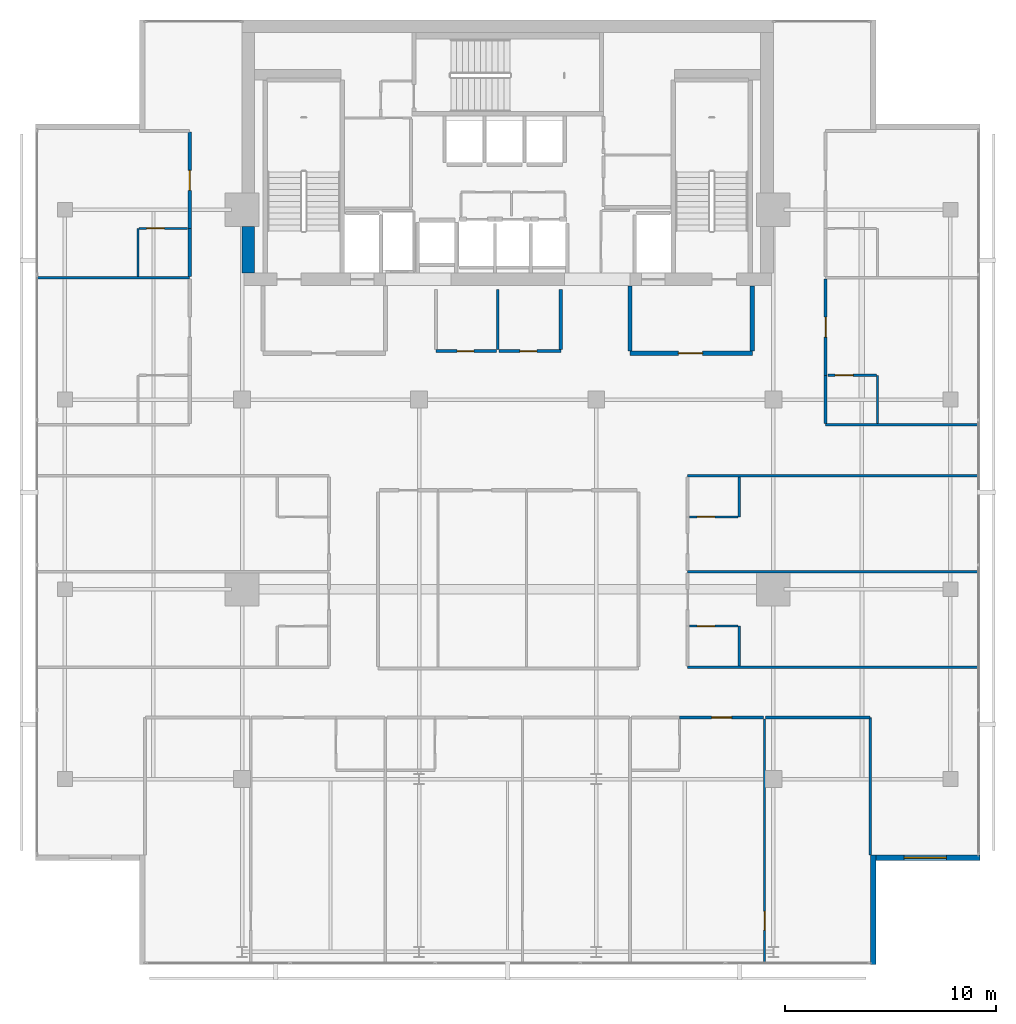
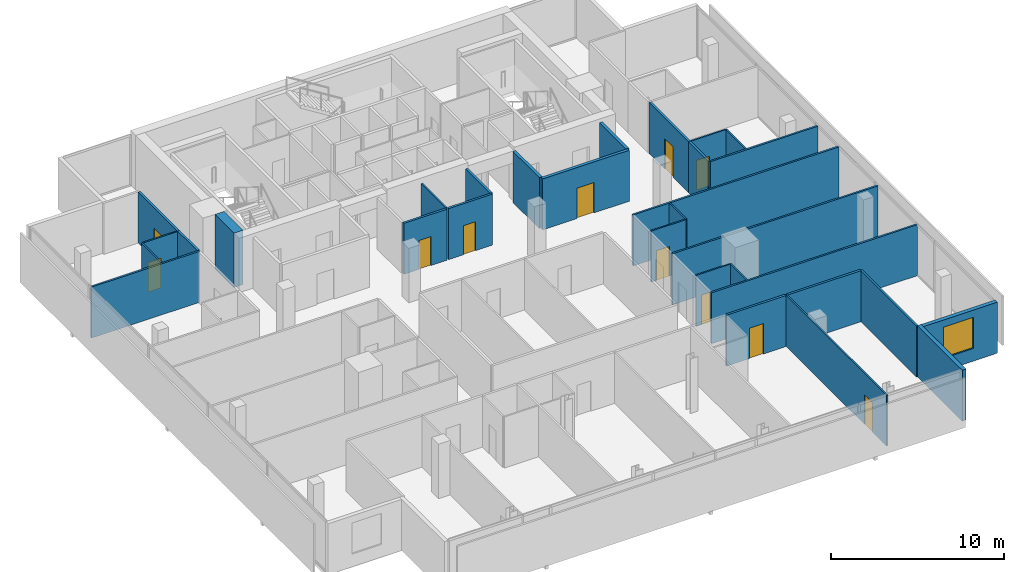
# One storey, part 21 of 26: 31 walls, 11 doors, 1 window, 12 openings.
"""IFC4 building model written with IfcOpenShell, lengths in metres."""

from ifc_helpers import new_model, si_unit, direction, frame, frame_2d, origin, place, context, subcontext, project, spatial, rectangle, extrude, material, layer, layer_set, type_object, element, fill, save


model = new_model("IFC4")

# Units and contexts
model_context = context("Model", 3, precision=1e-05, world=origin(), true_north=direction((0.0, 1.0)))
body_context = subcontext(model_context, "Body", "Model", "MODEL_VIEW")
ifc_project = project(units=[si_unit("LENGTHUNIT", "METRE"), si_unit("AREAUNIT", "SQUARE_METRE"), si_unit("VOLUMEUNIT", "CUBIC_METRE"), si_unit("PLANEANGLEUNIT", "RADIAN"), si_unit("MASSUNIT", "GRAM", prefix="KILO")], contexts=[model_context])

# Site, building, storey
site_placement = place(None, origin())
site = spatial("IfcSite", under=ifc_project, at=site_placement, CompositionType="ELEMENT")
building_placement = place(site_placement, origin())
building = spatial("IfcBuilding", under=site, at=building_placement, Name="Maruvema Waterfront Hotel and Observation Tower", CompositionType="ELEMENT")
storey_placement = place(building_placement, frame((0.0, 0.0, 301.0)))
storey = spatial("IfcBuildingStorey", under=building, at=storey_placement, Name="L74", CompositionType="ELEMENT", Elevation=301.0)

# Wall, opening, door
ifc_material_1 = material(Name="Twin-stud acoustic gypsum drywall", Category="gypsum")
ifc_layer_1 = layer(ifc_material_1, 0.14990234375, Name="Acoustic Corridor and Suite Demising Wall 150 mm")
ifc_layer_set_1 = layer_set([ifc_layer_1], Name="Twin-stud acoustic gypsum drywall")
wall_type_1 = type_object("IfcWallType", Name="Acoustic Corridor and Suite Demising Wall 150 mm", PredefinedType="PARTITIONING", material=ifc_layer_set_1)
wall_1_placement = place(storey_placement, frame((34.39990234375, 38.300048828125, 0.0), z_axis=(0.0, 0.0, 1.0), x_axis=(1.0, 0.0, 0.0)))
wall_1 = element("IfcWall", 1, at=wall_1_placement, inside=storey, type_object=wall_type_1, Name="L74 Core Apron K2A South 026", PredefinedType="PARTITIONING", context=body_context, shape_type="SweptSolid", body=[
    extrude(rectangle(XDim=2.880126953125, YDim=0.14990234375, at=frame_2d((1.43994140625, 0.0))), origin(), (0.0, 0.0, 1.0), 3.610107421875),
])
opening_1_placement = place(wall_1_placement, frame((1.0, 0.0, 0.0)))
opening_1 = element("IfcOpeningElement", 2, at=opening_1_placement, cuts=wall_1, Name="Opening DR-080", PredefinedType="OPENING", context=body_context, shape_type="SweptSolid", body=[
    extrude(rectangle(XDim=0.800048828125, YDim=2.050048828125, at=frame_2d((0.39990234375, 1.02490234375))), frame((0.0, 0.0849609375, 0.0), z_axis=(0.0, -1.0, 0.0), x_axis=(1.0, 0.0, 0.0)), (0.0, 0.0, 1.0), 0.169921875),
])
ifc_material_2 = material(Name="Powder-coated steel access leaf", Category="steel")
door_type_1 = type_object("IfcDoorType", Name="Riser and Service Cupboard Door 800x2050 mm", OperationType="NOTDEFINED", PredefinedType="DOOR", material=ifc_material_2)
door_1_placement = place(opening_1_placement, frame((0.800048828125, 0.0, 0.0), z_axis=(0.0, 0.0, 1.0), x_axis=(-1.0, 0.0, 0.0)))
door_1 = element("IfcDoor", 3, at=door_1_placement, inside=storey, type_object=door_type_1, Name="L74 Core Ice Alcove Door", OperationType="SINGLE_SWING_LEFT", OverallHeight=2.050048828125, OverallWidth=0.800048828125, PredefinedType="DOOR", context=body_context, shape_type="SweptSolid", body=[
    extrude(rectangle(XDim=0.800048828125, YDim=2.050048828125, at=frame_2d((0.39990234375, 1.02490234375))), frame((0.0, 0.02490234375, 0.0), z_axis=(0.0, -1.0, 0.0), x_axis=(1.0, 0.0, 0.0)), (0.0, 0.0, 1.0), 0.050048828125),
])
fill(opening_1, door_1)

wall_2_placement = place(storey_placement, frame((37.3798828125, 38.300048828125, 0.0), z_axis=(0.0, 0.0, 1.0), x_axis=(1.0, 0.0, 0.0)))
wall_2 = element("IfcWall", 4, at=wall_2_placement, inside=storey, type_object=wall_type_1, Name="L74 Core Apron K2B South 027", PredefinedType="PARTITIONING", context=body_context, shape_type="SweptSolid", body=[
    extrude(rectangle(XDim=2.940185546875, YDim=0.14990234375, at=frame_2d((1.47021484375, 0.0))), origin(), (0.0, 0.0, 1.0), 3.610107421875),
])
opening_2_placement = place(wall_2_placement, frame((1.0, 0.0, 0.0)))
opening_2 = element("IfcOpeningElement", 5, at=opening_2_placement, cuts=wall_2, Name="Opening DR-080", PredefinedType="OPENING", context=body_context, shape_type="SweptSolid", body=[
    extrude(rectangle(XDim=0.800048828125, YDim=2.050048828125, at=frame_2d((0.39990234375, 1.02490234375))), frame((0.0, 0.0849609375, 0.0), z_axis=(0.0, -1.0, 0.0), x_axis=(1.0, 0.0, 0.0)), (0.0, 0.0, 1.0), 0.169921875),
])
door_2_placement = place(opening_2_placement, frame((0.800048828125, 0.0, 0.0), z_axis=(0.0, 0.0, 1.0), x_axis=(-1.0, 0.0, 0.0)))
door_2 = element("IfcDoor", 6, at=door_2_placement, inside=storey, type_object=door_type_1, Name="L74 Core Valet Closet Door", OperationType="SINGLE_SWING_RIGHT", OverallHeight=2.050048828125, OverallWidth=0.800048828125, PredefinedType="DOOR", context=body_context, shape_type="SweptSolid", body=[
    extrude(rectangle(XDim=0.800048828125, YDim=2.050048828125, at=frame_2d((0.39990234375, 1.02490234375))), frame((0.0, 0.02490234375, 0.0), z_axis=(0.0, -1.0, 0.0), x_axis=(1.0, 0.0, 0.0)), (0.0, 0.0, 1.0), 0.050048828125),
])
fill(opening_2, door_2)

# Wall
wall_3_placement = place(storey_placement, frame((40.320068359375, 38.3798828125, 0.0), z_axis=(0.0, 0.0, 1.0), x_axis=(0.0, 1.0, 0.0)))
element("IfcWall", 7, at=wall_3_placement, inside=storey, type_object=wall_type_1, Name="L74 Core Apron K2 East 030", PredefinedType="PARTITIONING", context=body_context, shape_type="SweptSolid", body=[
    extrude(rectangle(XDim=2.840087890625, YDim=0.14990234375, at=frame_2d((1.419921875, 0.0))), origin(), (0.0, 0.0, 1.0), 3.610107421875),
])

# Wall, opening, door
wall_4_placement = place(storey_placement, frame((45.949951171875, 20.919921875, 0.0), z_axis=(0.0, 0.0, 1.0), x_axis=(1.0, 0.0, 0.0)))
wall_4 = element("IfcWall", 8, at=wall_4_placement, inside=storey, type_object=wall_type_1, Name="L74 Unit L74-S3 Corridor Wall 058", PredefinedType="PARTITIONING", context=body_context, shape_type="SweptSolid", body=[
    extrude(rectangle(XDim=3.994140625, YDim=0.14990234375, at=frame_2d((1.9970703125, 0.0))), origin(), (0.0, 0.0, 1.0), 3.610107421875),
])
opening_3_placement = place(wall_4_placement, frame((1.52197265625, 0.0, 0.0)))
opening_3 = element("IfcOpeningElement", 9, at=opening_3_placement, cuts=wall_4, Name="Opening DR-095", PredefinedType="OPENING", context=body_context, shape_type="SweptSolid", body=[
    extrude(rectangle(XDim=0.949951171875, YDim=2.14990234375, at=frame_2d((0.47509765625, 1.074951171875))), frame((0.0, 0.0849609375, 0.0), z_axis=(0.0, -1.0, 0.0), x_axis=(1.0, 0.0, 0.0)), (0.0, 0.0, 1.0), 0.169921875),
])
ifc_material_3 = material(Name="Acoustic solid-core hardwood timber leaf", Category="wood")
door_type_2 = type_object("IfcDoorType", Name="Guestroom Entrance Fire Door 950x2150 mm", OperationType="NOTDEFINED", PredefinedType="DOOR", material=ifc_material_3)
door_3_placement = place(opening_3_placement, frame((0.949951171875, 0.0, 0.0), z_axis=(0.0, 0.0, 1.0), x_axis=(-1.0, 0.0, 0.0)))
door_3 = element("IfcDoor", 10, at=door_3_placement, inside=storey, type_object=door_type_2, Name="L74 Unit L74-S3 Entrance Door", OperationType="SINGLE_SWING_LEFT", OverallHeight=2.14990234375, OverallWidth=0.949951171875, PredefinedType="DOOR", context=body_context, shape_type="SweptSolid", body=[
    extrude(rectangle(XDim=0.949951171875, YDim=2.14990234375, at=frame_2d((0.47509765625, 1.074951171875))), frame((0.0, 0.02490234375, 0.0), z_axis=(0.0, -1.0, 0.0), x_axis=(1.0, 0.0, 0.0)), (0.0, 0.0, 1.0), 0.050048828125),
])
fill(opening_3, door_3)

# Walls
wall_5_placement = place(storey_placement, frame((50.02392578125, 20.919921875, 0.0), z_axis=(0.0, 0.0, 1.0), x_axis=(1.0, 0.0, 0.0)))
element("IfcWall", 11, at=wall_5_placement, inside=storey, type_object=wall_type_1, Name="L74 Bedroom L74-S3 Back Wall 059", PredefinedType="PARTITIONING", context=body_context, shape_type="SweptSolid", body=[
    extrude(rectangle(XDim=4.9560546875, YDim=0.14990234375, at=frame_2d((2.47802734375, 0.0))), origin(), (0.0, 0.0, 1.0), 3.610107421875),
])
wall_6_placement = place(storey_placement, frame((52.8798828125, 34.860107421875, 0.0), z_axis=(0.0, 0.0, 1.0), x_axis=(0.0, 1.0, 0.0)))
element("IfcWall", 12, at=wall_6_placement, inside=storey, type_object=wall_type_1, Name="L74 Bath L74-NE1 Wall 091", PredefinedType="PARTITIONING", context=body_context, shape_type="SweptSolid", body=[
    extrude(rectangle(XDim=2.289794921875, YDim=0.14990234375, at=frame_2d((1.14501953125, 0.0))), origin(), (0.0, 0.0, 1.0), 3.610107421875),
])

# Wall, opening, door
wall_7_placement = place(storey_placement, frame((52.8798828125, 37.14990234375, 0.0), z_axis=(0.0, 0.0, 1.0), x_axis=(0.0, 1.0, 0.0)))
wall_7 = element("IfcWall", 13, at=wall_7_placement, inside=storey, type_object=wall_type_1, Name="L74 Room L74-NE1 Corridor Wall 092", PredefinedType="PARTITIONING", context=body_context, shape_type="SweptSolid", body=[
    extrude(rectangle(XDim=4.558837890625, YDim=0.14990234375, at=frame_2d((2.279296875, 0.0))), origin(), (0.0, 0.0, 1.0), 3.610107421875),
])
opening_4_placement = place(wall_7_placement, frame((1.804443359375, 0.0, 0.0)))
opening_4 = element("IfcOpeningElement", 14, at=opening_4_placement, cuts=wall_7, Name="Opening DR-095", PredefinedType="OPENING", context=body_context, shape_type="SweptSolid", body=[
    extrude(rectangle(XDim=0.949951171875, YDim=2.14990234375, at=frame_2d((0.47509765625, 1.074951171875))), frame((0.0, 0.0849609375, 0.0), z_axis=(0.0, -1.0, 0.0), x_axis=(1.0, 0.0, 0.0)), (0.0, 0.0, 1.0), 0.169921875),
])
door_4_placement = place(opening_4_placement, frame((0.949951171875, 0.0, 0.0), z_axis=(0.0, 0.0, 1.0), x_axis=(-1.0, 0.0, 0.0)))
door_4 = element("IfcDoor", 15, at=door_4_placement, inside=storey, type_object=door_type_2, Name="L74 Room L74-NE1 Entrance Door", OperationType="SINGLE_SWING_RIGHT", OverallHeight=2.14990234375, OverallWidth=0.949951171875, PredefinedType="DOOR", context=body_context, shape_type="SweptSolid", body=[
    extrude(rectangle(XDim=0.949951171875, YDim=2.14990234375, at=frame_2d((0.47509765625, 1.074951171875))), frame((0.0, 0.02490234375, 0.0), z_axis=(0.0, -1.0, 0.0), x_axis=(1.0, 0.0, 0.0)), (0.0, 0.0, 1.0), 0.050048828125),
])
fill(opening_4, door_4)

# Wall
wall_8_placement = place(storey_placement, frame((22.719970703125, 41.82861328125, 0.0), z_axis=(0.0, 0.0, 1.0), x_axis=(0.0, 1.0, 0.0)))
element("IfcWall", 16, at=wall_8_placement, inside=storey, type_object=wall_type_1, Name="L74 Bath L74-NW2 Wall 097", PredefinedType="PARTITIONING", context=body_context, shape_type="SweptSolid", body=[
    extrude(rectangle(XDim=2.2900390625, YDim=0.14990234375, at=frame_2d((1.14501953125, 0.0))), origin(), (0.0, 0.0, 1.0), 3.610107421875),
])

# Wall, opening, door
wall_9_placement = place(storey_placement, frame((22.719970703125, 44.11865234375, 0.0), z_axis=(0.0, 0.0, 1.0), x_axis=(0.0, 1.0, 0.0)))
wall_9 = element("IfcWall", 17, at=wall_9_placement, inside=storey, type_object=wall_type_1, Name="L74 Room L74-NW2 Corridor Wall 098", PredefinedType="PARTITIONING", context=body_context, shape_type="SweptSolid", body=[
    extrude(rectangle(XDim=4.558837890625, YDim=0.14990234375, at=frame_2d((2.279296875, 0.0))), origin(), (0.0, 0.0, 1.0), 3.610107421875),
])
opening_5_placement = place(wall_9_placement, frame((1.804443359375, 0.0, 0.0)))
opening_5 = element("IfcOpeningElement", 18, at=opening_5_placement, cuts=wall_9, Name="Opening DR-095", PredefinedType="OPENING", context=body_context, shape_type="SweptSolid", body=[
    extrude(rectangle(XDim=0.949951171875, YDim=2.14990234375, at=frame_2d((0.47509765625, 1.074951171875))), frame((0.0, 0.0849609375, 0.0), z_axis=(0.0, -1.0, 0.0), x_axis=(1.0, 0.0, 0.0)), (0.0, 0.0, 1.0), 0.169921875),
])
door_5_placement = place(opening_5_placement, origin())
door_5 = element("IfcDoor", 19, at=door_5_placement, inside=storey, type_object=door_type_2, Name="L74 Room L74-NW2 Entrance Door", OperationType="SINGLE_SWING_RIGHT", OverallHeight=2.14990234375, OverallWidth=0.949951171875, PredefinedType="DOOR", context=body_context, shape_type="SweptSolid", body=[
    extrude(rectangle(XDim=0.949951171875, YDim=2.14990234375, at=frame_2d((0.47509765625, 1.074951171875))), frame((0.0, 0.02490234375, 0.0), z_axis=(0.0, -1.0, 0.0), x_axis=(1.0, 0.0, 0.0)), (0.0, 0.0, 1.0), 0.050048828125),
])
fill(opening_5, door_5)

# Walls
ifc_material_4 = material(Name="Concrete C60/75", Category="concrete")
ifc_layer_2 = layer(ifc_material_4, 0.60009765625, Name="Core Shear Wall 600 mm")
ifc_layer_set_2 = layer_set([ifc_layer_2], Name="Concrete C60/75")
wall_type_2 = type_object("IfcWallType", Name="Core Shear Wall 600 mm", PredefinedType="SHEAR", material=ifc_layer_set_2)
wall_10_placement = place(storey_placement, frame((25.5, 42.0, 0.0), z_axis=(0.0, 0.0, 1.0), x_axis=(0.0, 1.0, 0.0)))
element("IfcWall", 20, at=wall_10_placement, inside=storey, type_object=wall_type_2, Name="L74 West-South Core Shear Wall", PredefinedType="SHEAR", context=body_context, shape_type="SweptSolid", body=[
    extrude(rectangle(XDim=2.199951171875, YDim=0.60009765625, at=frame_2d((1.10009765625, 0.0))), origin(), (0.0, 0.0, 1.0), 3.85009765625),
])
ifc_material_5 = material(Name="Moisture-resistant cement-board drywall", Category="gypsum")
ifc_layer_3 = layer(ifc_material_5, 0.10009765625, Name="En-Suite Moisture-Resistant Partition 100 mm")
ifc_layer_set_3 = layer_set([ifc_layer_3], Name="Moisture-resistant cement-board drywall")
wall_type_3 = type_object("IfcWallType", Name="En-Suite Moisture-Resistant Partition 100 mm", PredefinedType="PARTITIONING", material=ifc_layer_set_3)
wall_11_placement = place(storey_placement, frame((37.330078125, 38.3798828125, 0.0), z_axis=(0.0, 0.0, 1.0), x_axis=(0.0, 1.0, 0.0)))
element("IfcWall", 21, at=wall_11_placement, inside=storey, type_object=wall_type_3, Name="L74 Core Apron K2 Split 029", PredefinedType="PARTITIONING", context=body_context, shape_type="SweptSolid", body=[
    extrude(rectangle(XDim=2.840087890625, YDim=0.10009765625, at=frame_2d((1.419921875, 0.0))), origin(), (0.0, 0.0, 1.0), 3.610107421875),
])

# Wall, opening, door
wall_12_placement = place(storey_placement, frame((49.98388671875, 9.22998046875, 0.0), z_axis=(0.0, 0.0, 1.0), x_axis=(0.0, 1.0, 0.0)))
wall_12 = element("IfcWall", 22, at=wall_12_placement, inside=storey, type_object=wall_type_3, Name="L74 Suite L74-S3 Split 060", PredefinedType="PARTITIONING", context=body_context, shape_type="SweptSolid", body=[
    extrude(rectangle(XDim=11.630126953125, YDim=0.10009765625, at=frame_2d((5.81494140625, 0.0))), origin(), (0.0, 0.0, 1.0), 3.610107421875),
])
opening_6_placement = place(wall_12_placement, frame((1.60009765625, 0.0, 0.0)))
opening_6 = element("IfcOpeningElement", 23, at=opening_6_placement, cuts=wall_12, Name="Opening DR-090", PredefinedType="OPENING", context=body_context, shape_type="SweptSolid", body=[
    extrude(rectangle(XDim=0.89990234375, YDim=2.10009765625, at=frame_2d((0.449951171875, 1.050048828125))), frame((0.0, 0.06005859375, 0.0), z_axis=(0.0, -1.0, 0.0), x_axis=(1.0, 0.0, 0.0)), (0.0, 0.0, 1.0), 0.1201171875),
])
ifc_material_6 = material(Name="Solid-core lacquered timber leaf", Category="wood")
door_type_3 = type_object("IfcDoorType", Name="Accessible Toilet and Room Door 900x2100 mm", OperationType="NOTDEFINED", PredefinedType="DOOR", material=ifc_material_6)
door_6_placement = place(opening_6_placement, origin())
door_6 = element("IfcDoor", 24, at=door_6_placement, inside=storey, type_object=door_type_3, Name="L74 Suite L74-S3 Bedroom Door", OperationType="SINGLE_SWING_RIGHT", OverallHeight=2.10009765625, OverallWidth=0.89990234375, PredefinedType="DOOR", context=body_context, shape_type="SweptSolid", body=[
    extrude(rectangle(XDim=0.89990234375, YDim=2.10009765625, at=frame_2d((0.449951171875, 1.050048828125))), frame((0.0, 0.02490234375, 0.0), z_axis=(0.0, -1.0, 0.0), x_axis=(1.0, 0.0, 0.0)), (0.0, 0.0, 1.0), 0.050048828125),
])
fill(opening_6, door_6)

# Wall
wall_13_placement = place(storey_placement, frame((48.780029296875, 23.360107421875, 0.0), z_axis=(0.0, 0.0, 1.0), x_axis=(0.0, 1.0, 0.0)))
element("IfcWall", 25, at=wall_13_placement, inside=storey, type_object=wall_type_3, Name="L74 En-Suite L74-E1 E 071", PredefinedType="PARTITIONING", context=body_context, shape_type="SweptSolid", body=[
    extrude(rectangle(XDim=1.889892578125, YDim=0.10009765625, at=frame_2d((0.94482421875, 0.0))), origin(), (0.0, 0.0, 1.0), 3.610107421875),
])

# Wall, opening, door
wall_14_placement = place(storey_placement, frame((46.429931640625, 25.25, 0.0), z_axis=(0.0, 0.0, 1.0), x_axis=(1.0, 0.0, 0.0)))
wall_14 = element("IfcWall", 26, at=wall_14_placement, inside=storey, type_object=wall_type_3, Name="L74 En-Suite L74-E1 N 072", PredefinedType="PARTITIONING", context=body_context, shape_type="SweptSolid", body=[
    extrude(rectangle(XDim=2.300048828125, YDim=0.10009765625, at=frame_2d((1.14990234375, 0.0))), origin(), (0.0, 0.0, 1.0), 3.610107421875),
])
opening_7_placement = place(wall_14_placement, frame((0.35009765625, 0.0, 0.0)))
opening_7 = element("IfcOpeningElement", 27, at=opening_7_placement, cuts=wall_14, Name="Opening DR-085", PredefinedType="OPENING", context=body_context, shape_type="SweptSolid", body=[
    extrude(rectangle(XDim=0.85009765625, YDim=2.10009765625, at=frame_2d((0.425048828125, 1.050048828125))), frame((0.0, 0.06005859375, 0.0), z_axis=(0.0, -1.0, 0.0), x_axis=(1.0, 0.0, 0.0)), (0.0, 0.0, 1.0), 0.1201171875),
])
ifc_material_7 = material(Name="Moisture-resistant solid timber leaf", Category="wood")
door_type_4 = type_object("IfcDoorType", Name="En-Suite Bathroom Door 850x2100 mm", OperationType="NOTDEFINED", PredefinedType="DOOR", material=ifc_material_7)
door_7_placement = place(opening_7_placement, origin())
door_7 = element("IfcDoor", 28, at=door_7_placement, inside=storey, type_object=door_type_4, Name="L74 En-Suite L74-E1 Door", OperationType="SINGLE_SWING_LEFT", OverallHeight=2.10009765625, OverallWidth=0.85009765625, PredefinedType="DOOR", context=body_context, shape_type="SweptSolid", body=[
    extrude(rectangle(XDim=0.85009765625, YDim=2.10009765625, at=frame_2d((0.425048828125, 1.050048828125))), frame((0.0, 0.02490234375, 0.0), z_axis=(0.0, -1.0, 0.0), x_axis=(1.0, 0.0, 0.0)), (0.0, 0.0, 1.0), 0.050048828125),
])
fill(opening_7, door_7)

# Wall
wall_15_placement = place(storey_placement, frame((48.780029296875, 30.429931640625, 0.0), z_axis=(0.0, 0.0, 1.0), x_axis=(0.0, 1.0, 0.0)))
element("IfcWall", 29, at=wall_15_placement, inside=storey, type_object=wall_type_3, Name="L74 En-Suite L74-E2 E 081", PredefinedType="PARTITIONING", context=body_context, shape_type="SweptSolid", body=[
    extrude(rectangle(XDim=1.89013671875, YDim=0.10009765625, at=frame_2d((0.945068359375, 0.0))), origin(), (0.0, 0.0, 1.0), 3.610107421875),
])

# Wall, opening, door
wall_16_placement = place(storey_placement, frame((46.429931640625, 30.429931640625, 0.0), z_axis=(0.0, 0.0, 1.0), x_axis=(1.0, 0.0, 0.0)))
wall_16 = element("IfcWall", 30, at=wall_16_placement, inside=storey, type_object=wall_type_3, Name="L74 En-Suite L74-E2 S 082", PredefinedType="PARTITIONING", context=body_context, shape_type="SweptSolid", body=[
    extrude(rectangle(XDim=2.300048828125, YDim=0.10009765625, at=frame_2d((1.14990234375, 0.0))), origin(), (0.0, 0.0, 1.0), 3.610107421875),
])
opening_8_placement = place(wall_16_placement, frame((0.35009765625, 0.0, 0.0)))
opening_8 = element("IfcOpeningElement", 31, at=opening_8_placement, cuts=wall_16, Name="Opening DR-085", PredefinedType="OPENING", context=body_context, shape_type="SweptSolid", body=[
    extrude(rectangle(XDim=0.85009765625, YDim=2.10009765625, at=frame_2d((0.425048828125, 1.050048828125))), frame((0.0, 0.06005859375, 0.0), z_axis=(0.0, -1.0, 0.0), x_axis=(1.0, 0.0, 0.0)), (0.0, 0.0, 1.0), 0.1201171875),
])
door_8_placement = place(opening_8_placement, frame((0.85009765625, 0.0, 0.0), z_axis=(0.0, 0.0, 1.0), x_axis=(-1.0, 0.0, 0.0)))
door_8 = element("IfcDoor", 32, at=door_8_placement, inside=storey, type_object=door_type_4, Name="L74 En-Suite L74-E2 Door", OperationType="SINGLE_SWING_LEFT", OverallHeight=2.10009765625, OverallWidth=0.85009765625, PredefinedType="DOOR", context=body_context, shape_type="SweptSolid", body=[
    extrude(rectangle(XDim=0.85009765625, YDim=2.10009765625, at=frame_2d((0.425048828125, 1.050048828125))), frame((0.0, 0.02490234375, 0.0), z_axis=(0.0, -1.0, 0.0), x_axis=(1.0, 0.0, 0.0)), (0.0, 0.0, 1.0), 0.050048828125),
])
fill(opening_8, door_8)

# Wall
wall_17_placement = place(storey_placement, frame((55.330078125, 34.860107421875, 0.0), z_axis=(0.0, 0.0, 1.0), x_axis=(0.0, 1.0, 0.0)))
element("IfcWall", 33, at=wall_17_placement, inside=storey, type_object=wall_type_3, Name="L74 En-Suite L74-NE1 E 093", PredefinedType="PARTITIONING", context=body_context, shape_type="SweptSolid", body=[
    extrude(rectangle(XDim=2.289794921875, YDim=0.10009765625, at=frame_2d((1.14501953125, 0.0))), origin(), (0.0, 0.0, 1.0), 3.610107421875),
])

# Wall, opening, door
wall_18_placement = place(storey_placement, frame((52.97998046875, 37.14990234375, 0.0), z_axis=(0.0, 0.0, 1.0), x_axis=(1.0, 0.0, 0.0)))
wall_18 = element("IfcWall", 34, at=wall_18_placement, inside=storey, type_object=wall_type_3, Name="L74 En-Suite L74-NE1 N 094", PredefinedType="PARTITIONING", context=body_context, shape_type="SweptSolid", body=[
    extrude(rectangle(XDim=2.300048828125, YDim=0.10009765625, at=frame_2d((1.14990234375, 0.0))), origin(), (0.0, 0.0, 1.0), 3.610107421875),
])
opening_9_placement = place(wall_18_placement, frame((0.35009765625, 0.0, 0.0)))
opening_9 = element("IfcOpeningElement", 35, at=opening_9_placement, cuts=wall_18, Name="Opening DR-085", PredefinedType="OPENING", context=body_context, shape_type="SweptSolid", body=[
    extrude(rectangle(XDim=0.85009765625, YDim=2.10009765625, at=frame_2d((0.425048828125, 1.050048828125))), frame((0.0, 0.06005859375, 0.0), z_axis=(0.0, -1.0, 0.0), x_axis=(1.0, 0.0, 0.0)), (0.0, 0.0, 1.0), 0.1201171875),
])
door_9_placement = place(opening_9_placement, origin())
door_9 = element("IfcDoor", 36, at=door_9_placement, inside=storey, type_object=door_type_4, Name="L74 En-Suite L74-NE1 Door", OperationType="SINGLE_SWING_LEFT", OverallHeight=2.10009765625, OverallWidth=0.85009765625, PredefinedType="DOOR", context=body_context, shape_type="SweptSolid", body=[
    extrude(rectangle(XDim=0.85009765625, YDim=2.10009765625, at=frame_2d((0.425048828125, 1.050048828125))), frame((0.0, 0.02490234375, 0.0), z_axis=(0.0, -1.0, 0.0), x_axis=(1.0, 0.0, 0.0)), (0.0, 0.0, 1.0), 0.050048828125),
])
fill(opening_9, door_9)

# Wall
wall_19_placement = place(storey_placement, frame((20.27001953125, 41.82861328125, 0.0), z_axis=(0.0, 0.0, 1.0), x_axis=(0.0, 1.0, 0.0)))
element("IfcWall", 37, at=wall_19_placement, inside=storey, type_object=wall_type_3, Name="L74 En-Suite L74-NW2 W 099", PredefinedType="PARTITIONING", context=body_context, shape_type="SweptSolid", body=[
    extrude(rectangle(XDim=2.2900390625, YDim=0.10009765625, at=frame_2d((1.14501953125, 0.0))), origin(), (0.0, 0.0, 1.0), 3.610107421875),
])

# Wall, opening, door
wall_20_placement = place(storey_placement, frame((20.320068359375, 44.11865234375, 0.0), z_axis=(0.0, 0.0, 1.0), x_axis=(1.0, 0.0, 0.0)))
wall_20 = element("IfcWall", 38, at=wall_20_placement, inside=storey, type_object=wall_type_3, Name="L74 En-Suite L74-NW2 N 100", PredefinedType="PARTITIONING", context=body_context, shape_type="SweptSolid", body=[
    extrude(rectangle(XDim=2.300048828125, YDim=0.10009765625, at=frame_2d((1.14990234375, 0.0))), origin(), (0.0, 0.0, 1.0), 3.610107421875),
])
opening_10_placement = place(wall_20_placement, frame((0.35009765625, 0.0, 0.0)))
opening_10 = element("IfcOpeningElement", 39, at=opening_10_placement, cuts=wall_20, Name="Opening DR-085", PredefinedType="OPENING", context=body_context, shape_type="SweptSolid", body=[
    extrude(rectangle(XDim=0.85009765625, YDim=2.10009765625, at=frame_2d((0.425048828125, 1.050048828125))), frame((0.0, 0.06005859375, 0.0), z_axis=(0.0, -1.0, 0.0), x_axis=(1.0, 0.0, 0.0)), (0.0, 0.0, 1.0), 0.1201171875),
])
door_10_placement = place(opening_10_placement, origin())
door_10 = element("IfcDoor", 40, at=door_10_placement, inside=storey, type_object=door_type_4, Name="L74 En-Suite L74-NW2 Door", OperationType="SINGLE_SWING_LEFT", OverallHeight=2.10009765625, OverallWidth=0.85009765625, PredefinedType="DOOR", context=body_context, shape_type="SweptSolid", body=[
    extrude(rectangle(XDim=0.85009765625, YDim=2.10009765625, at=frame_2d((0.425048828125, 1.050048828125))), frame((0.0, 0.02490234375, 0.0), z_axis=(0.0, -1.0, 0.0), x_axis=(1.0, 0.0, 0.0)), (0.0, 0.0, 1.0), 0.050048828125),
])
fill(opening_10, door_10)

# Wall
ifc_material_8 = material(Name="Precast concrete C45/55 with honed Pernambuco granite facing", Category="masonry")
ifc_layer_4 = layer(ifc_material_8, 0.260009765625, Name="Exterior Granite Clad Spandrel and Pier Wall 260 mm")
ifc_layer_set_4 = layer_set([ifc_layer_4], Name="Precast concrete C45/55 with honed Pernambuco granite facing")
wall_type_4 = type_object("IfcWallType", Name="Exterior Granite Clad Spandrel and Pier Wall 260 mm", PredefinedType="SOLIDWALL", material=ifc_layer_set_4)
wall_21_placement = place(storey_placement, frame((55.1298828125, 14.39990234375, 0.0), z_axis=(0.0, 0.0, 1.0), x_axis=(0.0, -1.0, 0.0)))
element("IfcWall", 41, at=wall_21_placement, inside=storey, type_object=wall_type_4, Name="L74 Corner Notch Granite Pier Wall SE1", PredefinedType="SOLIDWALL", context=body_context, shape_type="SweptSolid", body=[
    extrude(rectangle(XDim=5.199951171875, YDim=0.260009765625, at=frame_2d((2.60009765625, 0.0))), origin(), (0.0, 0.0, 1.0), 3.610107421875),
])

# Wall, opening, window
wall_22_placement = place(storey_placement, frame((60.199951171875, 14.27001953125, 0.0), z_axis=(0.0, 0.0, 1.0), x_axis=(-1.0, 0.0, 0.0)))
wall_22 = element("IfcWall", 42, at=wall_22_placement, inside=storey, type_object=wall_type_4, Name="L74 Corner Notch Granite Pier Wall SE2", PredefinedType="SOLIDWALL", context=body_context, shape_type="SweptSolid", body=[
    extrude(rectangle(XDim=5.199951171875, YDim=0.260009765625, at=frame_2d((2.60009765625, 0.0))), origin(), (0.0, 0.0, 1.0), 3.610107421875),
])
opening_11_placement = place(wall_22_placement, frame((1.60009765625, 0.0, 0.89990234375)))
opening_11 = element("IfcOpeningElement", 43, at=opening_11_placement, cuts=wall_22, Name="Opening WN-03", PredefinedType="OPENING", context=body_context, shape_type="SweptSolid", body=[
    extrude(rectangle(XDim=2.0, YDim=2.199951171875, at=frame_2d((1.0, 1.10009765625))), frame((0.0, 0.14013671875, 0.0), z_axis=(0.0, -1.0, 0.0), x_axis=(1.0, 0.0, 0.0)), (0.0, 0.0, 1.0), 0.280029296875),
])
ifc_material_9 = material(Name="Anodised bronze aluminium frame with laminated low-E glass", Category="aluminium")
window_type = type_object("IfcWindowType", Name="Sky Suite Panoramic Notch Window 2000x2200 mm", PartitioningType="SINGLE_PANEL", PredefinedType="WINDOW", material=ifc_material_9)
window_placement = place(opening_11_placement, origin())
window = element("IfcWindow", 44, at=window_placement, inside=storey, type_object=window_type, Name="L74 Corner Notch Punched Window SE2", OverallHeight=2.199951171875, OverallWidth=2.0, PartitioningType="SINGLE_PANEL", PredefinedType="WINDOW", context=body_context, shape_type="SweptSolid", body=[
    extrude(rectangle(XDim=2.0, YDim=2.199951171875, at=frame_2d((1.0, 1.10009765625))), frame((0.0, 0.030029296875, 0.0), z_axis=(0.0, -1.0, 0.0), x_axis=(1.0, 0.0, 0.0)), (0.0, 0.0, 1.0), 0.06005859375),
])
fill(opening_11, window)

# Wall, opening, door
ifc_material_10 = material(Name="Autoclaved cellular concrete blockwork", Category="masonry")
ifc_layer_5 = layer(ifc_material_10, 0.199951171875, Name="Fire Compartment Masonry Wall 200 mm")
ifc_layer_set_5 = layer_set([ifc_layer_5], Name="Autoclaved cellular concrete blockwork")
wall_type_5 = type_object("IfcWallType", Name="Fire Compartment Masonry Wall 200 mm", PredefinedType="PARTITIONING", material=ifc_layer_set_5)
wall_23_placement = place(storey_placement, frame((43.60009765625, 38.199951171875, 0.0), z_axis=(0.0, 0.0, 1.0), x_axis=(1.0, 0.0, 0.0)))
wall_23 = element("IfcWall", 45, at=wall_23_placement, inside=storey, type_object=wall_type_5, Name="L74 FFL East South Wall 004", PredefinedType="PARTITIONING", context=body_context, shape_type="SweptSolid", body=[
    extrude(rectangle(XDim=5.7998046875, YDim=0.199951171875, at=frame_2d((2.89990234375, 0.0))), origin(), (0.0, 0.0, 1.0), 3.610107421875),
])
opening_12_placement = place(wall_23_placement, frame((2.300048828125, 0.0, 0.0)))
opening_12 = element("IfcOpeningElement", 46, at=opening_12_placement, cuts=wall_23, Name="Opening FD-115", PredefinedType="OPENING", context=body_context, shape_type="SweptSolid", body=[
    extrude(rectangle(XDim=1.14990234375, YDim=2.14990234375, at=frame_2d((0.574951171875, 1.074951171875))), frame((0.0, 0.10986328125, 0.0), z_axis=(0.0, -1.0, 0.0), x_axis=(1.0, 0.0, 0.0)), (0.0, 0.0, 1.0), 0.219970703125),
])
ifc_material_11 = material(Name="Fire-rated galvanised steel and vision glass", Category="steel")
door_type_5 = type_object("IfcDoorType", Name="Firefighting Lobby Fire Door 1150x2150 mm", OperationType="NOTDEFINED", PredefinedType="DOOR", material=ifc_material_11)
door_11_placement = place(opening_12_placement, frame((1.14990234375, 0.0, 0.0), z_axis=(0.0, 0.0, 1.0), x_axis=(-1.0, 0.0, 0.0)))
door_11 = element("IfcDoor", 47, at=door_11_placement, inside=storey, type_object=door_type_5, Name="L74 Firefighting Lobby East Door", OperationType="SINGLE_SWING_RIGHT", OverallHeight=2.14990234375, OverallWidth=1.14990234375, PredefinedType="DOOR", context=body_context, shape_type="SweptSolid", body=[
    extrude(rectangle(XDim=1.14990234375, YDim=2.14990234375, at=frame_2d((0.574951171875, 1.074951171875))), frame((0.0, 0.02490234375, 0.0), z_axis=(0.0, -1.0, 0.0), x_axis=(1.0, 0.0, 0.0)), (0.0, 0.0, 1.0), 0.050048828125),
])
fill(opening_12, door_11)

# Walls
for number, where, z_axis, x_axis, name in (
    (48, (43.60009765625, 38.31005859375, 0.0), (0.0, 0.0, 1.0), (0.0, 1.0, 0.0), "L74 FFL East West Wall 005"),
    (49, (49.39990234375, 38.31005859375, 0.0), (0.0, 0.0, 1.0), (0.0, 1.0, 0.0), "L74 FFL East East Wall 006"),
):
    element("IfcWall", number, at=place(storey_placement, frame(where, z_axis=z_axis, x_axis=x_axis)), inside=storey, type_object=wall_type_5, Name=name, PredefinedType="PARTITIONING", context=body_context, shape_type="SweptSolid", body=[
        extrude(rectangle(XDim=3.06982421875, YDim=0.199951171875, at=frame_2d((1.534912109375, 0.0))), origin(), (0.0, 0.0, 1.0), 3.610107421875),
    ])
ifc_material_12 = material(Name="Acoustic gypsum plasterboard drywall", Category="gypsum")
ifc_layer_6 = layer(ifc_material_12, 0.125, Name="Guestroom Acoustic Demising Wall 125 mm")
ifc_layer_set_6 = layer_set([ifc_layer_6], Name="Acoustic gypsum plasterboard drywall")
wall_type_6 = type_object("IfcWallType", Name="Guestroom Acoustic Demising Wall 125 mm", PredefinedType="PARTITIONING", material=ifc_layer_set_6)
wall_24_placement = place(storey_placement, frame((55.0, 14.39990234375, 0.0), z_axis=(0.0, 0.0, 1.0), x_axis=(0.0, 1.0, 0.0)))
element("IfcWall", 50, at=wall_24_placement, inside=storey, type_object=wall_type_6, Name="L74 Z3 S East End 040", PredefinedType="PARTITIONING", context=body_context, shape_type="SweptSolid", body=[
    extrude(rectangle(XDim=6.52001953125, YDim=0.125, at=frame_2d((3.260009765625, 0.0))), origin(), (0.0, 0.0, 1.0), 3.610107421875),
])
for number, where, z_axis, x_axis, name in (
    (51, (46.330078125, 23.300048828125, 0.0), (0.0, 0.0, 1.0), (1.0, 0.0, 0.0), "L74 Z3 E Bot End 062"),
    (52, (46.330078125, 32.3798828125, 0.0), (0.0, 0.0, 1.0), (1.0, 0.0, 0.0), "L74 Z3 E Top End 064"),
    (53, (46.330078125, 27.840087890625, 0.0), (0.0, 0.0, 1.0), (1.0, 0.0, 0.0), "L74 Z3 E Demising 2 074"),
):
    element("IfcWall", number, at=place(storey_placement, frame(where, z_axis=z_axis, x_axis=x_axis)), inside=storey, type_object=wall_type_6, Name=name, PredefinedType="PARTITIONING", context=body_context, shape_type="SweptSolid", body=[
        extrude(rectangle(XDim=13.77001953125, YDim=0.125, at=frame_2d((6.885009765625, 0.0))), origin(), (0.0, 0.0, 1.0), 3.610107421875),
    ])
wall_25_placement = place(storey_placement, frame((52.8798828125, 34.800048828125, 0.0), z_axis=(0.0, 0.0, 1.0), x_axis=(1.0, 0.0, 0.0)))
element("IfcWall", 54, at=wall_25_placement, inside=storey, type_object=wall_type_6, Name="L74 Z3 NE Bot End 084", PredefinedType="PARTITIONING", context=body_context, shape_type="SweptSolid", body=[
    extrude(rectangle(XDim=7.22021484375, YDim=0.125, at=frame_2d((3.610107421875, 0.0))), origin(), (0.0, 0.0, 1.0), 3.610107421875),
])
wall_26_placement = place(storey_placement, frame((15.5, 41.768798828125, 0.0), z_axis=(0.0, 0.0, 1.0), x_axis=(1.0, 0.0, 0.0)))
element("IfcWall", 55, at=wall_26_placement, inside=storey, type_object=wall_type_6, Name="L74 Z3 NW Demising 2 095", PredefinedType="PARTITIONING", context=body_context, shape_type="SweptSolid", body=[
    extrude(rectangle(XDim=7.219970703125, YDim=0.125, at=frame_2d((3.60986328125, 0.0))), origin(), (0.0, 0.0, 1.0), 3.610107421875),
])

save(model, "model.ifc")
